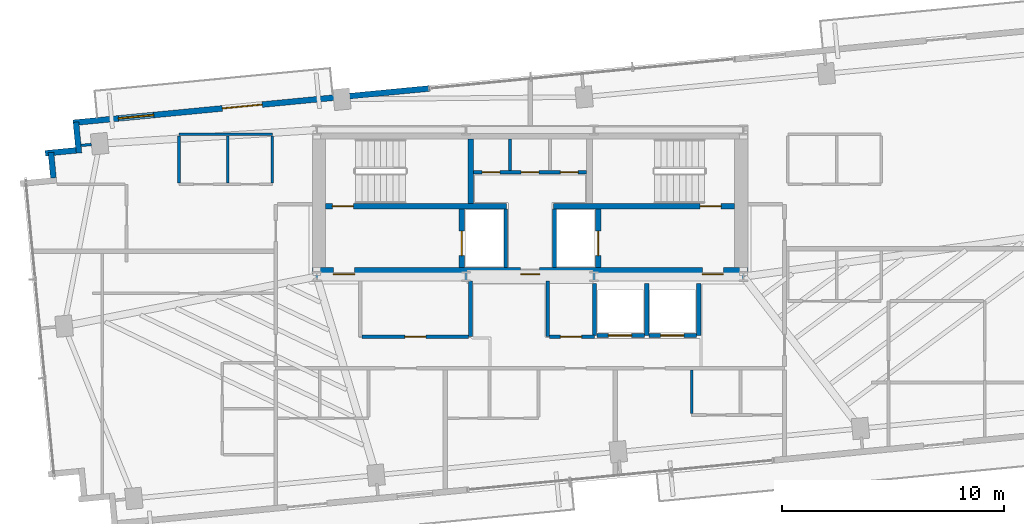
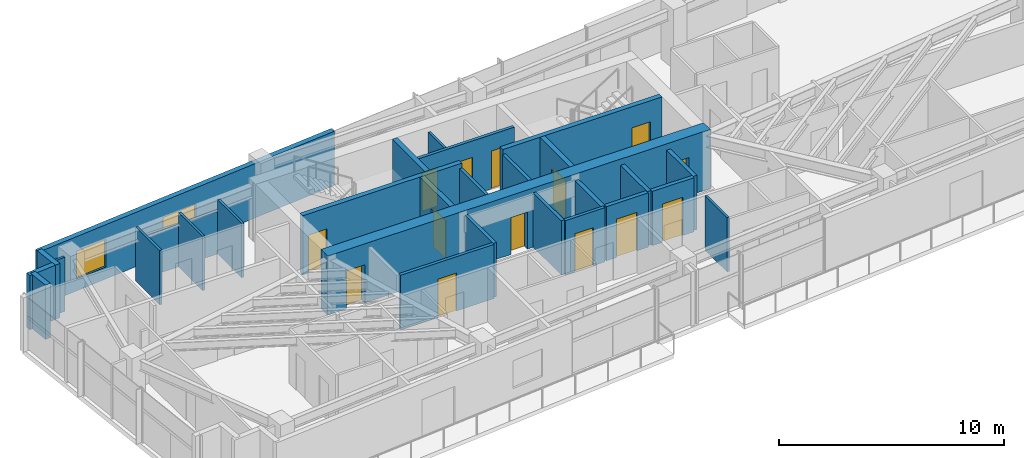
# One storey, part 14 of 18: 29 walls, 15 doors, 1 window, 16 openings.
"""IFC4 building model written with IfcOpenShell, lengths in metres."""

from ifc_helpers import new_model, si_unit, direction, frame, frame_2d, origin, place, context, subcontext, project, spatial, rectangle, extrude, source, transform, mapped, material, layer, layer_set, type_object, type_shapes, element, fill, save


model = new_model("IFC4")

# Units and contexts
model_context = context("Model", 3, precision=1e-05, world=origin(), true_north=direction((0.0, 1.0)))
body_context = subcontext(model_context, "Body", "Model", "MODEL_VIEW")
ifc_project = project(units=[si_unit("LENGTHUNIT", "METRE"), si_unit("AREAUNIT", "SQUARE_METRE"), si_unit("VOLUMEUNIT", "CUBIC_METRE"), si_unit("PLANEANGLEUNIT", "RADIAN"), si_unit("MASSUNIT", "GRAM", prefix="KILO")], contexts=[model_context])

# Site, building, storey
site_placement = place(None, origin())
site = spatial("IfcSite", under=ifc_project, at=site_placement, CompositionType="ELEMENT")
building_placement = place(site_placement, origin())
building = spatial("IfcBuilding", under=site, at=building_placement, Name="Astriad Promenade Condominiums", CompositionType="ELEMENT")
storey_placement = place(building_placement, frame((0.0, 0.0, 205.0)))
storey = spatial("IfcBuildingStorey", under=building, at=storey_placement, Name="L59", CompositionType="ELEMENT", Elevation=205.0)

# Wall, openings, doors
ifc_material_1 = material(Name="Concrete C50/60", Category="concrete")
ifc_layer_1 = layer(ifc_material_1, 0.60009765625)
ifc_layer_set_1 = layer_set([ifc_layer_1], Name="Concrete C50/60")
wall_type_1 = type_object("IfcWallType", Name="CW-SHEAR-600", PredefinedType="SHEAR", material=ifc_layer_set_1)
wall_1_placement = place(storey_placement, frame((26.199951171875, 17.5, 0.0), z_axis=(0.0, 0.0, 1.0), x_axis=(1.0, 0.0, 0.0)))
wall_1 = element("IfcWall", 1, at=wall_1_placement, inside=storey, type_object=wall_type_1, Name="CW-CORE-S-L59", PredefinedType="SHEAR", context=body_context, shape_type="SweptSolid", body=[
    extrude(rectangle(XDim=19.60009765625, YDim=0.60009765625, at=frame_2d((9.800048828125, 0.0))), origin(), (0.0, 0.0, 1.0), 3.199951171875),
])
opening_1_placement = place(wall_1_placement, frame((0.949951171875, 0.0, 0.0)))
opening_1 = element("IfcOpeningElement", 2, at=opening_1_placement, cuts=wall_1, Name="Opening FD90-ST-095", PredefinedType="OPENING", context=body_context, shape_type="SweptSolid", body=[
    extrude(rectangle(XDim=0.949951171875, YDim=2.06005859375, at=frame_2d((0.47509765625, 1.030029296875))), frame((0.0, 0.31005859375, 0.0), z_axis=(0.0, -1.0, 0.0), x_axis=(1.0, 0.0, 0.0)), (0.0, 0.0, 1.0), 0.6201171875),
])
opening_2_placement = place(wall_1_placement, frame((9.3798828125, 0.0, 0.0)))
opening_2 = element("IfcOpeningElement", 3, at=opening_2_placement, cuts=wall_1, Name="Opening FD60-ULOW-085", PredefinedType="OPENING", context=body_context, shape_type="SweptSolid", body=[
    extrude(rectangle(XDim=0.85009765625, YDim=2.0, at=frame_2d((0.425048828125, 1.0))), frame((0.0, 0.31005859375, 0.0), z_axis=(0.0, -1.0, 0.0), x_axis=(1.0, 0.0, 0.0)), (0.0, 0.0, 1.0), 0.6201171875),
])
opening_3_placement = place(wall_1_placement, frame((17.550048828125, 0.0, 0.0)))
opening_3 = element("IfcOpeningElement", 4, at=opening_3_placement, cuts=wall_1, Name="Opening FD90-ST-095", PredefinedType="OPENING", context=body_context, shape_type="SweptSolid", body=[
    extrude(rectangle(XDim=0.949951171875, YDim=2.06005859375, at=frame_2d((0.47509765625, 1.030029296875))), frame((0.0, 0.31005859375, 0.0), z_axis=(0.0, -1.0, 0.0), x_axis=(1.0, 0.0, 0.0)), (0.0, 0.0, 1.0), 0.6201171875),
])
ifc_material_2 = material(Name="Fire-Rated Hollow Metal Stair Door")
door_type_1 = type_object("IfcDoorType", Name="FD90-ST-095", OperationType="NOTDEFINED", PredefinedType="DOOR", material=ifc_material_2)
shared_shape_1 = source(origin(), body_context, "Body", "SweptSolid", [
    extrude(rectangle(XDim=0.949951171875, YDim=2.06005859375, at=frame_2d((0.47509765625, 1.030029296875))), frame((0.0, 0.02490234375, 0.0), z_axis=(0.0, -1.0, 0.0), x_axis=(1.0, 0.0, 0.0)), (0.0, 0.0, 1.0), 0.050048828125),
])
type_shapes(door_type_1, [shared_shape_1])
door_1_placement = place(opening_1_placement, origin())
door_1 = element("IfcDoor", 5, at=door_1_placement, inside=storey, type_object=door_type_1, Name="D-FFW-L59", OperationType="SINGLE_SWING_LEFT", OverallHeight=2.06005859375, OverallWidth=0.949951171875, PredefinedType="DOOR", context=body_context, shape_type="MappedRepresentation", body=[
    mapped(shared_shape_1, transform((0.0, 0.0, 0.0), scale=1.0)),
])
fill(opening_1, door_1)
door_2_placement = place(opening_3_placement, origin())
door_2 = element("IfcDoor", 6, at=door_2_placement, inside=storey, type_object=door_type_1, Name="D-FFE-L59", OperationType="SINGLE_SWING_RIGHT", OverallHeight=2.06005859375, OverallWidth=0.949951171875, PredefinedType="DOOR", context=body_context, shape_type="MappedRepresentation", body=[
    mapped(shared_shape_1, transform((0.0, 0.0, 0.0), scale=1.0)),
])
fill(opening_3, door_2)
ifc_material_3 = material(Name="Solid-Core Low-Headroom Fire Door")
door_type_2 = type_object("IfcDoorType", Name="FD60-ULOW-085", OperationType="NOTDEFINED", PredefinedType="DOOR", material=ifc_material_3)
shared_shape_2 = source(origin(), body_context, "Body", "SweptSolid", [
    extrude(rectangle(XDim=0.85009765625, YDim=2.0, at=frame_2d((0.425048828125, 1.0))), frame((0.0, 0.02490234375, 0.0), z_axis=(0.0, -1.0, 0.0), x_axis=(1.0, 0.0, 0.0)), (0.0, 0.0, 1.0), 0.050048828125),
])
type_shapes(door_type_2, [shared_shape_2])
door_3_placement = place(opening_2_placement, origin())
door_3 = element("IfcDoor", 7, at=door_3_placement, inside=storey, type_object=door_type_2, Name="D-CSL-L59", OperationType="SINGLE_SWING_RIGHT", OverallHeight=2.0, OverallWidth=0.85009765625, PredefinedType="DOOR", context=body_context, shape_type="MappedRepresentation", body=[
    mapped(shared_shape_2, transform((0.0, 0.0, 0.0), scale=1.0)),
])
fill(opening_2, door_3)

# Wall, opening, door
ifc_layer_2 = layer(ifc_material_1, 0.25)
ifc_layer_set_2 = layer_set([ifc_layer_2], Name="Concrete C50/60")
wall_type_2 = type_object("IfcWallType", Name="WALL-CORE-INT-250", PredefinedType="SOLIDWALL", material=ifc_layer_set_2)
wall_2_placement = place(storey_placement, frame((26.802001953125, 20.574951171875, 0.0), z_axis=(0.0, 0.0, 1.0), x_axis=(1.0, 0.0, 0.0)))
wall_2 = element("IfcWall", 8, at=wall_2_placement, inside=storey, type_object=wall_type_2, Name="CW-INT-H1-L59", PredefinedType="SOLIDWALL", context=body_context, shape_type="SweptSolid", body=[
    extrude(rectangle(XDim=8.14794921875, YDim=0.25, at=frame_2d((4.073974609375, 0.0))), origin(), (0.0, 0.0, 1.0), 3.199951171875),
])
opening_4_placement = place(wall_2_placement, frame((0.298095703125, 0.0, 0.0)))
opening_4 = element("IfcOpeningElement", 9, at=opening_4_placement, cuts=wall_2, Name="Opening FD90-ST-095", PredefinedType="OPENING", context=body_context, shape_type="SweptSolid", body=[
    extrude(rectangle(XDim=0.949951171875, YDim=2.06005859375, at=frame_2d((0.47509765625, 1.030029296875))), frame((0.0, 0.135009765625, 0.0), z_axis=(0.0, -1.0, 0.0), x_axis=(1.0, 0.0, 0.0)), (0.0, 0.0, 1.0), 0.27001953125),
])
door_4_placement = place(opening_4_placement, origin())
door_4 = element("IfcDoor", 10, at=door_4_placement, inside=storey, type_object=door_type_1, Name="D-ST1-L59", OperationType="SINGLE_SWING_RIGHT", OverallHeight=2.06005859375, OverallWidth=0.949951171875, PredefinedType="DOOR", context=body_context, shape_type="MappedRepresentation", body=[
    mapped(shared_shape_1, transform((0.0, 0.0, 0.0), scale=1.0)),
])
fill(opening_4, door_4)

wall_3_placement = place(storey_placement, frame((37.050048828125, 20.574951171875, 0.0), z_axis=(0.0, 0.0, 1.0), x_axis=(1.0, 0.0, 0.0)))
wall_3 = element("IfcWall", 11, at=wall_3_placement, inside=storey, type_object=wall_type_2, Name="CW-INT-H2-L59", PredefinedType="SOLIDWALL", context=body_context, shape_type="SweptSolid", body=[
    extrude(rectangle(XDim=8.14794921875, YDim=0.25, at=frame_2d((4.073974609375, 0.0))), origin(), (0.0, 0.0, 1.0), 3.199951171875),
])
opening_5_placement = place(wall_3_placement, frame((6.60009765625, 0.0, 0.0)))
opening_5 = element("IfcOpeningElement", 12, at=opening_5_placement, cuts=wall_3, Name="Opening FD90-ST-095", PredefinedType="OPENING", context=body_context, shape_type="SweptSolid", body=[
    extrude(rectangle(XDim=0.949951171875, YDim=2.06005859375, at=frame_2d((0.47509765625, 1.030029296875))), frame((0.0, 0.135009765625, 0.0), z_axis=(0.0, -1.0, 0.0), x_axis=(1.0, 0.0, 0.0)), (0.0, 0.0, 1.0), 0.27001953125),
])
door_5_placement = place(opening_5_placement, origin())
door_5 = element("IfcDoor", 13, at=door_5_placement, inside=storey, type_object=door_type_1, Name="D-ST2-L59", OperationType="SINGLE_SWING_LEFT", OverallHeight=2.06005859375, OverallWidth=0.949951171875, PredefinedType="DOOR", context=body_context, shape_type="MappedRepresentation", body=[
    mapped(shared_shape_1, transform((0.0, 0.0, 0.0), scale=1.0)),
])
fill(opening_5, door_5)

# Wall
wall_4_placement = place(storey_placement, frame((33.324951171875, 20.701904296875, 0.0), z_axis=(0.0, 0.0, 1.0), x_axis=(0.0, 1.0, 0.0)))
element("IfcWall", 14, at=wall_4_placement, inside=storey, type_object=wall_type_2, Name="CW-ST1-E-L59", PredefinedType="SOLIDWALL", context=body_context, shape_type="SweptSolid", body=[
    extrude(rectangle(XDim=2.89599609375, YDim=0.25, at=frame_2d((1.447998046875, 0.0))), origin(), (0.0, 0.0, 1.0), 3.199951171875),
])

# Wall, opening, door
wall_5_placement = place(storey_placement, frame((32.925048828125, 17.802001953125, 0.0), z_axis=(0.0, 0.0, 1.0), x_axis=(0.0, 1.0, 0.0)))
wall_5 = element("IfcWall", 15, at=wall_5_placement, inside=storey, type_object=wall_type_2, Name="CW-FFL1-W-L59", PredefinedType="SOLIDWALL", context=body_context, shape_type="SweptSolid", body=[
    extrude(rectangle(XDim=2.64599609375, YDim=0.25, at=frame_2d((1.322998046875, 0.0))), origin(), (0.0, 0.0, 1.0), 3.199951171875),
])
opening_6_placement = place(wall_5_placement, frame((0.548095703125, 0.0, 0.0)))
opening_6 = element("IfcOpeningElement", 16, at=opening_6_placement, cuts=wall_5, Name="Opening LD-FFL-1122", PredefinedType="OPENING", context=body_context, shape_type="SweptSolid", body=[
    extrude(rectangle(XDim=1.10009765625, YDim=2.080078125, at=frame_2d((0.550048828125, 1.0400390625))), frame((0.0, 0.135009765625, 0.0), z_axis=(0.0, -1.0, 0.0), x_axis=(1.0, 0.0, 0.0)), (0.0, 0.0, 1.0), 0.27001953125),
])
ifc_material_4 = material(Name="Brushed Stainless Steel Fire Elevator Landing Door", Category="steel")
door_type_3 = type_object("IfcDoorType", Name="LD-FFL-1122", OperationType="NOTDEFINED", PredefinedType="DOOR", material=ifc_material_4)
shared_shape_3 = source(origin(), body_context, "Body", "SweptSolid", [
    extrude(rectangle(XDim=1.10009765625, YDim=2.080078125, at=frame_2d((0.550048828125, 1.0400390625))), frame((0.0, 0.02490234375, 0.0), z_axis=(0.0, -1.0, 0.0), x_axis=(1.0, 0.0, 0.0)), (0.0, 0.0, 1.0), 0.050048828125),
])
type_shapes(door_type_3, [shared_shape_3])
door_6_placement = place(opening_6_placement, origin())
door_6 = element("IfcDoor", 17, at=door_6_placement, inside=storey, type_object=door_type_3, Name="Elevator Landing Door FFL-1 (L59)", OperationType="SLIDING_TO_LEFT", OverallHeight=2.080078125, OverallWidth=1.10009765625, PredefinedType="DOOR", context=body_context, shape_type="MappedRepresentation", body=[
    mapped(shared_shape_3, transform((0.0, 0.0, 0.0), scale=1.0)),
])
fill(opening_6, door_6)

wall_6_placement = place(storey_placement, frame((39.074951171875, 17.802001953125, 0.0), z_axis=(0.0, 0.0, 1.0), x_axis=(0.0, 1.0, 0.0)))
wall_6 = element("IfcWall", 18, at=wall_6_placement, inside=storey, type_object=wall_type_2, Name="CW-FFL2-E-L59", PredefinedType="SOLIDWALL", context=body_context, shape_type="SweptSolid", body=[
    extrude(rectangle(XDim=2.64599609375, YDim=0.25, at=frame_2d((1.322998046875, 0.0))), origin(), (0.0, 0.0, 1.0), 3.199951171875),
])
opening_7_placement = place(wall_6_placement, frame((0.548095703125, 0.0, 0.0)))
opening_7 = element("IfcOpeningElement", 19, at=opening_7_placement, cuts=wall_6, Name="Opening LD-FFL-1122", PredefinedType="OPENING", context=body_context, shape_type="SweptSolid", body=[
    extrude(rectangle(XDim=1.10009765625, YDim=2.080078125, at=frame_2d((0.550048828125, 1.0400390625))), frame((0.0, 0.135009765625, 0.0), z_axis=(0.0, -1.0, 0.0), x_axis=(1.0, 0.0, 0.0)), (0.0, 0.0, 1.0), 0.27001953125),
])
door_7_placement = place(opening_7_placement, origin())
door_7 = element("IfcDoor", 20, at=door_7_placement, inside=storey, type_object=door_type_3, Name="Elevator Landing Door FFL-2 (L59)", OperationType="SLIDING_TO_RIGHT", OverallHeight=2.080078125, OverallWidth=1.10009765625, PredefinedType="DOOR", context=body_context, shape_type="MappedRepresentation", body=[
    mapped(shared_shape_3, transform((0.0, 0.0, 0.0), scale=1.0)),
])
fill(opening_7, door_7)

# Walls
ifc_material_5 = material(Name="Fire-Rated Gypsum Partition")
ifc_layer_3 = layer(ifc_material_5, 0.159912109375)
ifc_layer_set_3 = layer_set([ifc_layer_3], Name="Fire-Rated Gypsum Partition")
wall_type_3 = type_object("IfcWallType", Name="WALL-CORR-160", PredefinedType="PARTITIONING", material=ifc_layer_set_3)
for number, where, z_axis, x_axis, name in (
    (21, (34.89990234375, 17.802001953125, 0.0), (0.0, 0.0, 1.0), (0.0, 1.0, 0.0), "CW-FFL1-E-L59"),
    (22, (37.10009765625, 17.802001953125, 0.0), (0.0, 0.0, 1.0), (0.0, 1.0, 0.0), "CW-FFL2-W-L59"),
):
    element("IfcWall", number, at=place(storey_placement, frame(where, z_axis=z_axis, x_axis=x_axis)), inside=storey, type_object=wall_type_3, Name=name, PredefinedType="PARTITIONING", context=body_context, shape_type="SweptSolid", body=[
        extrude(rectangle(XDim=2.64599609375, YDim=0.159912109375, at=frame_2d((1.322998046875, 0.0))), origin(), (0.0, 0.0, 1.0), 2.93994140625),
    ])

# Wall, openings, doors
wall_7_placement = place(storey_placement, frame((33.451904296875, 22.10009765625, 0.0), z_axis=(0.0, 0.0, 1.0), x_axis=(1.0, 0.0, 0.0)))
wall_7 = element("IfcWall", 23, at=wall_7_placement, inside=storey, type_object=wall_type_3, Name="CW-AUX-N-L59", PredefinedType="PARTITIONING", context=body_context, shape_type="SweptSolid", body=[
    extrude(rectangle(XDim=5.09619140625, YDim=0.159912109375, at=frame_2d((2.548095703125, 0.0))), origin(), (0.0, 0.0, 1.0), 2.93994140625),
])
opening_8_placement = place(wall_7_placement, frame((0.387939453125, 0.0, 0.0)))
opening_8 = element("IfcOpeningElement", 24, at=opening_8_placement, cuts=wall_7, Name="Opening FD60-SV-080", PredefinedType="OPENING", context=body_context, shape_type="SweptSolid", body=[
    extrude(rectangle(XDim=0.800048828125, YDim=2.050048828125, at=frame_2d((0.39990234375, 1.02490234375))), frame((0.0, 0.08984375, 0.0), z_axis=(0.0, -1.0, 0.0), x_axis=(1.0, 0.0, 0.0)), (0.0, 0.0, 1.0), 0.179931640625),
])
opening_9_placement = place(wall_7_placement, frame((2.14794921875, 0.0, 0.0)))
opening_9 = element("IfcOpeningElement", 25, at=opening_9_placement, cuts=wall_7, Name="Opening FD60-SV-080", PredefinedType="OPENING", context=body_context, shape_type="SweptSolid", body=[
    extrude(rectangle(XDim=0.800048828125, YDim=2.050048828125, at=frame_2d((0.39990234375, 1.02490234375))), frame((0.0, 0.08984375, 0.0), z_axis=(0.0, -1.0, 0.0), x_axis=(1.0, 0.0, 0.0)), (0.0, 0.0, 1.0), 0.179931640625),
])
opening_10_placement = place(wall_7_placement, frame((3.907958984375, 0.0, 0.0)))
opening_10 = element("IfcOpeningElement", 26, at=opening_10_placement, cuts=wall_7, Name="Opening FD60-SV-080", PredefinedType="OPENING", context=body_context, shape_type="SweptSolid", body=[
    extrude(rectangle(XDim=0.800048828125, YDim=2.050048828125, at=frame_2d((0.39990234375, 1.02490234375))), frame((0.0, 0.08984375, 0.0), z_axis=(0.0, -1.0, 0.0), x_axis=(1.0, 0.0, 0.0)), (0.0, 0.0, 1.0), 0.179931640625),
])
ifc_material_6 = material(Name="Fire-Rated Riser Closet Door")
door_type_4 = type_object("IfcDoorType", Name="FD60-SV-080", OperationType="NOTDEFINED", PredefinedType="DOOR", material=ifc_material_6)
shared_shape_4 = source(origin(), body_context, "Body", "SweptSolid", [
    extrude(rectangle(XDim=0.800048828125, YDim=2.050048828125, at=frame_2d((0.39990234375, 1.02490234375))), frame((0.0, 0.02490234375, 0.0), z_axis=(0.0, -1.0, 0.0), x_axis=(1.0, 0.0, 0.0)), (0.0, 0.0, 1.0), 0.050048828125),
])
type_shapes(door_type_4, [shared_shape_4])
door_8_placement = place(opening_8_placement, origin())
door_8 = element("IfcDoor", 27, at=door_8_placement, inside=storey, type_object=door_type_4, Name="D-AUX1-L59", OperationType="SINGLE_SWING_RIGHT", OverallHeight=2.050048828125, OverallWidth=0.800048828125, PredefinedType="DOOR", context=body_context, shape_type="MappedRepresentation", body=[
    mapped(shared_shape_4, transform((0.0, 0.0, 0.0), scale=1.0)),
])
fill(opening_8, door_8)
door_9_placement = place(opening_9_placement, origin())
door_9 = element("IfcDoor", 28, at=door_9_placement, inside=storey, type_object=door_type_4, Name="D-AUX2-L59", OperationType="SINGLE_SWING_LEFT", OverallHeight=2.050048828125, OverallWidth=0.800048828125, PredefinedType="DOOR", context=body_context, shape_type="MappedRepresentation", body=[
    mapped(shared_shape_4, transform((0.0, 0.0, 0.0), scale=1.0)),
])
fill(opening_9, door_9)
door_10_placement = place(opening_10_placement, origin())
door_10 = element("IfcDoor", 29, at=door_10_placement, inside=storey, type_object=door_type_4, Name="D-AUX3-L59", OperationType="SINGLE_SWING_RIGHT", OverallHeight=2.050048828125, OverallWidth=0.800048828125, PredefinedType="DOOR", context=body_context, shape_type="MappedRepresentation", body=[
    mapped(shared_shape_4, transform((0.0, 0.0, 0.0), scale=1.0)),
])
fill(opening_10, door_10)

# Wall
wall_8_placement = place(storey_placement, frame((33.320068359375, 14.699951171875, 0.0), z_axis=(0.0, 0.0, 1.0), x_axis=(0.0, 1.0, 0.0)))
element("IfcWall", 30, at=wall_8_placement, inside=storey, type_object=wall_type_3, Name="PT-Z3REC-E-L59", PredefinedType="PARTITIONING", context=body_context, shape_type="SweptSolid", body=[
    extrude(rectangle(XDim=2.498046875, YDim=0.159912109375, at=frame_2d((1.2490234375, 0.0))), origin(), (0.0, 0.0, 1.0), 2.93994140625),
])

# Wall, opening, door
wall_9_placement = place(storey_placement, frame((28.44189453125, 14.699951171875, 0.0), z_axis=(0.0, 0.0, 1.0), x_axis=(1.0, 0.0, 0.0)))
wall_9 = element("IfcWall", 31, at=wall_9_placement, inside=storey, type_object=wall_type_3, Name="PT-Z3REC-S-L59", PredefinedType="PARTITIONING", context=body_context, shape_type="SweptSolid", body=[
    extrude(rectangle(XDim=4.796142578125, YDim=0.159912109375, at=frame_2d((2.39794921875, 0.0))), origin(), (0.0, 0.0, 1.0), 2.93994140625),
])
opening_11_placement = place(wall_9_placement, frame((1.923095703125, 0.0, 0.0)))
opening_11 = element("IfcOpeningElement", 32, at=opening_11_placement, cuts=wall_9, Name="Opening FD60-APT-095", PredefinedType="OPENING", context=body_context, shape_type="SweptSolid", body=[
    extrude(rectangle(XDim=0.949951171875, YDim=2.06005859375, at=frame_2d((0.47509765625, 1.030029296875))), frame((0.0, 0.08984375, 0.0), z_axis=(0.0, -1.0, 0.0), x_axis=(1.0, 0.0, 0.0)), (0.0, 0.0, 1.0), 0.179931640625),
])
ifc_material_7 = material(Name="Solid-Core Acoustic Timber Residence Entry Door", Category="wood")
door_type_5 = type_object("IfcDoorType", Name="FD60-APT-095", OperationType="NOTDEFINED", PredefinedType="DOOR", material=ifc_material_7)
shared_shape_5 = source(origin(), body_context, "Body", "SweptSolid", [
    extrude(rectangle(XDim=0.949951171875, YDim=2.06005859375, at=frame_2d((0.47509765625, 1.030029296875))), frame((0.0, 0.02490234375, 0.0), z_axis=(0.0, -1.0, 0.0), x_axis=(1.0, 0.0, 0.0)), (0.0, 0.0, 1.0), 0.050048828125),
])
type_shapes(door_type_5, [shared_shape_5])
door_11_placement = place(opening_11_placement, origin())
door_11 = element("IfcDoor", 33, at=door_11_placement, inside=storey, type_object=door_type_5, Name="D-Z3R-L59", OperationType="SINGLE_SWING_RIGHT", OverallHeight=2.06005859375, OverallWidth=0.949951171875, PredefinedType="DOOR", context=body_context, shape_type="MappedRepresentation", body=[
    mapped(shared_shape_5, transform((0.0, 0.0, 0.0), scale=1.0)),
])
fill(opening_11, door_11)

# Wall
wall_10_placement = place(storey_placement, frame((36.800048828125, 14.699951171875, 0.0), z_axis=(0.0, 0.0, 1.0), x_axis=(0.0, 1.0, 0.0)))
element("IfcWall", 34, at=wall_10_placement, inside=storey, type_object=wall_type_3, Name="PT-Z3R2-W-L59", PredefinedType="PARTITIONING", context=body_context, shape_type="SweptSolid", body=[
    extrude(rectangle(XDim=2.498046875, YDim=0.159912109375, at=frame_2d((1.2490234375, 0.0))), origin(), (0.0, 0.0, 1.0), 2.93994140625),
])

# Wall, opening, door
wall_11_placement = place(storey_placement, frame((36.882080078125, 14.699951171875, 0.0), z_axis=(0.0, 0.0, 1.0), x_axis=(1.0, 0.0, 0.0)))
wall_11 = element("IfcWall", 35, at=wall_11_placement, inside=storey, type_object=wall_type_3, Name="PT-Z3R2-S-L59", PredefinedType="PARTITIONING", context=body_context, shape_type="SweptSolid", body=[
    extrude(rectangle(XDim=2.017822265625, YDim=0.159912109375, at=frame_2d((1.0087890625, 0.0))), origin(), (0.0, 0.0, 1.0), 2.93994140625),
])
opening_12_placement = place(wall_11_placement, frame((0.48291015625, 0.0, 0.0)))
opening_12 = element("IfcOpeningElement", 36, at=opening_12_placement, cuts=wall_11, Name="Opening FD60-APT-095", PredefinedType="OPENING", context=body_context, shape_type="SweptSolid", body=[
    extrude(rectangle(XDim=0.949951171875, YDim=2.06005859375, at=frame_2d((0.47509765625, 1.030029296875))), frame((0.0, 0.08984375, 0.0), z_axis=(0.0, -1.0, 0.0), x_axis=(1.0, 0.0, 0.0)), (0.0, 0.0, 1.0), 0.179931640625),
])
door_12_placement = place(opening_12_placement, origin())
door_12 = element("IfcDoor", 37, at=door_12_placement, inside=storey, type_object=door_type_5, Name="D-Z3N-L59", OperationType="SINGLE_SWING_LEFT", OverallHeight=2.06005859375, OverallWidth=0.949951171875, PredefinedType="DOOR", context=body_context, shape_type="MappedRepresentation", body=[
    mapped(shared_shape_5, transform((0.0, 0.0, 0.0), scale=1.0)),
])
fill(opening_12, door_12)

# Walls
ifc_material_8 = material(Name="Precast concrete C50/60", Category="concrete")
ifc_layer_4 = layer(ifc_material_8, 0.260009765625)
ifc_layer_set_4 = layer_set([ifc_layer_4], Name="Precast concrete C50/60")
wall_type_4 = type_object("IfcWallType", Name="WALL-EXT-TWR-260", PredefinedType="STANDARD", material=ifc_layer_set_4)
wall_12_placement = place(storey_placement, frame((14.55029296875, 21.842529296875, 0.0), z_axis=(0.0, 0.0, 1.0), x_axis=(-0.09576095695, 0.995404359607, 0.0)))
element("IfcWall", 38, at=wall_12_placement, inside=storey, type_object=wall_type_4, Name="W-SER-L59-05", PredefinedType="STANDARD", context=body_context, shape_type="SweptSolid", body=[
    extrude(rectangle(XDim=1.14990234375, YDim=0.260009765625, at=frame_2d((0.574951171875, 0.0))), origin(), (0.0, 0.0, 1.0), 2.93994140625),
])
wall_13_placement = place(storey_placement, frame((14.182861328125, 22.947265625, 0.0), z_axis=(0.0, 0.0, 1.0), x_axis=(0.99540614245, 0.095742423056, 0.0)))
element("IfcWall", 39, at=wall_13_placement, inside=storey, type_object=wall_type_4, Name="W-SER-L59-06", PredefinedType="STANDARD", context=body_context, shape_type="SweptSolid", body=[
    extrude(rectangle(XDim=1.394775390625, YDim=0.260009765625, at=frame_2d((0.697265625, 0.0))), origin(), (0.0, 0.0, 1.0), 2.93994140625),
])
wall_14_placement = place(storey_placement, frame((15.6982421875, 22.962646484375, 0.0), z_axis=(0.0, 0.0, 1.0), x_axis=(-0.09589913835, 0.995391056452, 0.0)))
element("IfcWall", 40, at=wall_14_placement, inside=storey, type_object=wall_type_4, Name="W-SER-L59-07", PredefinedType="STANDARD", context=body_context, shape_type="SweptSolid", body=[
    extrude(rectangle(XDim=1.39501953125, YDim=0.260009765625, at=frame_2d((0.697509765625, 0.0))), origin(), (0.0, 0.0, 1.0), 2.93994140625),
])

# Wall, openings, door, window
wall_15_placement = place(storey_placement, frame((15.4365234375, 24.32373046875, 0.0), z_axis=(0.0, 0.0, 1.0), x_axis=(0.995395627913, 0.095851676732, 0.0)))
wall_15 = element("IfcWall", 41, at=wall_15_placement, inside=storey, type_object=wall_type_4, Name="W-EXT-L59-N1", PredefinedType="STANDARD", context=body_context, shape_type="SweptSolid", body=[
    extrude(rectangle(XDim=16.10009765625, YDim=0.260009765625, at=frame_2d((8.050048828125, 0.0))), origin(), (0.0, 0.0, 1.0), 2.93994140625),
])
opening_13_placement = place(wall_15_placement, frame((6.7490234375, 0.0, 0.0)))
opening_13 = element("IfcOpeningElement", 42, at=opening_13_placement, cuts=wall_15, Name="Opening BD-1822-SLD", PredefinedType="OPENING", context=body_context, shape_type="SweptSolid", body=[
    extrude(rectangle(XDim=1.800048828125, YDim=2.06005859375, at=frame_2d((0.89990234375, 1.030029296875))), frame((0.0, 0.139892578125, 0.0), z_axis=(0.0, -1.0, 0.0), x_axis=(1.0, 0.0, 0.0)), (0.0, 0.0, 1.0), 0.280029296875),
])
opening_14_placement = place(wall_15_placement, frame((2.050048828125, 0.0, 0.64990234375)))
opening_14 = element("IfcOpeningElement", 43, at=opening_14_placement, cuts=wall_15, Name="Opening WIN-TWR-1620", PredefinedType="OPENING", context=body_context, shape_type="SweptSolid", body=[
    extrude(rectangle(XDim=1.60009765625, YDim=1.5, at=frame_2d((0.800048828125, 0.75))), frame((0.0, 0.139892578125, 0.0), z_axis=(0.0, -1.0, 0.0), x_axis=(1.0, 0.0, 0.0)), (0.0, 0.0, 1.0), 0.280029296875),
])
ifc_material_9 = material(Name="Thermally Broken Aluminium Sliding Balcony Door", Category="aluminium")
door_type_6 = type_object("IfcDoorType", Name="BD-1822-SLD", OperationType="NOTDEFINED", PredefinedType="DOOR", material=ifc_material_9)
shared_shape_6 = source(origin(), body_context, "Body", "SweptSolid", [
    extrude(rectangle(XDim=1.800048828125, YDim=2.06005859375, at=frame_2d((0.89990234375, 1.030029296875))), frame((0.0, 0.02490234375, 0.0), z_axis=(0.0, -1.0, 0.0), x_axis=(1.0, 0.0, 0.0)), (0.0, 0.0, 1.0), 0.050048828125),
])
type_shapes(door_type_6, [shared_shape_6])
door_13_placement = place(opening_13_placement, origin())
door_13 = element("IfcDoor", 44, at=door_13_placement, inside=storey, type_object=door_type_6, Name="BD-L59-NW", OperationType="SLIDING_TO_LEFT", OverallHeight=2.06005859375, OverallWidth=1.800048828125, PredefinedType="DOOR", context=body_context, shape_type="MappedRepresentation", body=[
    mapped(shared_shape_6, transform((0.0, 0.0, 0.0), scale=1.0)),
])
fill(opening_13, door_13)
ifc_material_10 = material(Name="Dark Tinted Triple-Glazed Aluminium Window", Category="aluminium")
window_type = type_object("IfcWindowType", Name="WIN-TWR-1620", PartitioningType="SINGLE_PANEL", PredefinedType="WINDOW", material=ifc_material_10)
shared_shape_7 = source(origin(), body_context, "Body", "SweptSolid", [
    extrude(rectangle(XDim=1.60009765625, YDim=1.5, at=frame_2d((0.800048828125, 0.75))), frame((0.0, 0.030029296875, 0.0), z_axis=(0.0, -1.0, 0.0), x_axis=(1.0, 0.0, 0.0)), (0.0, 0.0, 1.0), 0.06005859375),
])
type_shapes(window_type, [shared_shape_7])
window_placement = place(opening_14_placement, origin())
window = element("IfcWindow", 45, at=window_placement, inside=storey, type_object=window_type, Name="WIN-L59-NW", OverallHeight=1.5, OverallWidth=1.60009765625, PartitioningType="SINGLE_PANEL", PredefinedType="WINDOW", context=body_context, shape_type="MappedRepresentation", body=[
    mapped(shared_shape_7, transform((0.0, 0.0, 0.0), scale=1.0)),
])
fill(opening_14, window)

# Walls
ifc_material_11 = material(Name="Acoustic Metal-Stud Gypsum Partition")
ifc_layer_5 = layer(ifc_material_11, 0.1201171875)
ifc_layer_set_5 = layer_set([ifc_layer_5], Name="Acoustic Metal-Stud Gypsum Partition")
wall_type_5 = type_object("IfcWallType", Name="WALL-PART-120", PredefinedType="PARTITIONING", material=ifc_layer_set_5)
wall_16_placement = place(storey_placement, frame((35.10009765625, 22.181884765625, 0.0), z_axis=(0.0, 0.0, 1.0), x_axis=(0.0, 1.0, 0.0)))
element("IfcWall", 46, at=wall_16_placement, inside=storey, type_object=wall_type_5, Name="CW-AUX-V1-L59", PredefinedType="PARTITIONING", context=body_context, shape_type="SweptSolid", body=[
    extrude(rectangle(XDim=1.416015625, YDim=0.1201171875, at=frame_2d((0.7080078125, 0.0))), origin(), (0.0, 0.0, 1.0), 2.93994140625),
])
wall_17_placement = place(storey_placement, frame((43.27001953125, 11.23388671875, 0.0), z_axis=(0.0, 0.0, 1.0), x_axis=(0.0, 1.0, 0.0)))
element("IfcWall", 47, at=wall_17_placement, inside=storey, type_object=wall_type_5, Name="PT-L59-S3-PK", PredefinedType="PARTITIONING", context=body_context, shape_type="SweptSolid", body=[
    extrude(rectangle(XDim=1.964111328125, YDim=0.1201171875, at=frame_2d((0.98193359375, 0.0))), origin(), (0.0, 0.0, 1.0), 2.93994140625),
])
wall_18_placement = place(storey_placement, frame((20.199951171875, 23.800048828125, 0.0), z_axis=(0.0, 0.0, 1.0), x_axis=(1.0, 0.0, 0.0)))
element("IfcWall", 48, at=wall_18_placement, inside=storey, type_object=wall_type_5, Name="PT-L59-W2-PHN", PredefinedType="PARTITIONING", context=body_context, shape_type="SweptSolid", body=[
    extrude(rectangle(XDim=4.199951171875, YDim=0.1201171875, at=frame_2d((2.10009765625, 0.0))), origin(), (0.0, 0.0, 1.0), 2.30029296875),
])
for number, where, z_axis, x_axis, name in (
    (49, (20.199951171875, 21.612060546875, 0.0), (0.0, 0.0, 1.0), (0.0, 1.0, 0.0), "PT-L59-W2-PK1"),
    (50, (22.39990234375, 21.612060546875, 0.0), (0.0, 0.0, 1.0), (0.0, 1.0, 0.0), "PT-L59-W2-PK2"),
    (51, (24.39990234375, 21.612060546875, 0.0), (0.0, 0.0, 1.0), (0.0, 1.0, 0.0), "PT-L59-W2-PK3"),
):
    element("IfcWall", number, at=place(storey_placement, frame(where, z_axis=z_axis, x_axis=x_axis)), inside=storey, type_object=wall_type_5, Name=name, PredefinedType="PARTITIONING", context=body_context, shape_type="SweptSolid", body=[
        extrude(rectangle(XDim=2.1259765625, YDim=0.1201171875, at=frame_2d((1.06298828125, 0.0))), origin(), (0.0, 0.0, 1.0), 2.93994140625),
    ])
wall_19_placement = place(storey_placement, frame((16.25390625, 23.34765625, 0.0), z_axis=(0.0, 0.0, 1.0), x_axis=(-0.995384576284, -0.09596637586, 0.0)))
element("IfcWall", 52, at=wall_19_placement, inside=storey, type_object=wall_type_5, Name="PT-PIL-L59-PC06-13", PredefinedType="PARTITIONING", context=body_context, shape_type="SweptSolid", body=[
    extrude(rectangle(XDim=0.4580078125, YDim=0.1201171875, at=frame_2d((0.22900390625, 0.0))), origin(), (0.0, 0.0, 1.0), 2.93994140625),
])
ifc_material_12 = material(Name="Gypsum Shaftliner Assembly")
ifc_layer_6 = layer(ifc_material_12, 0.199951171875)
ifc_layer_set_6 = layer_set([ifc_layer_6], Name="Gypsum Shaftliner Assembly")
wall_type_6 = type_object("IfcWallType", Name="WALL-SHAFT-200", PredefinedType="PARTITIONING", material=ifc_layer_set_6)
for number, where, z_axis, x_axis, name in (
    (53, (38.89990234375, 14.75, 0.0), (0.0, 0.0, 1.0), (0.0, 1.0, 0.0), "PL-MH-DIV-L59"),
    (54, (41.25, 14.75, 0.0), (0.0, 0.0, 1.0), (0.0, 1.0, 0.0), "PL-H-DIV-L59"),
    (55, (43.60009765625, 14.75, 0.0), (0.0, 0.0, 1.0), (0.0, 1.0, 0.0), "PL-E-OUT-L59"),
):
    element("IfcWall", number, at=place(storey_placement, frame(where, z_axis=z_axis, x_axis=x_axis)), inside=storey, type_object=wall_type_6, Name=name, PredefinedType="PARTITIONING", context=body_context, shape_type="SweptSolid", body=[
        extrude(rectangle(XDim=2.35009765625, YDim=0.199951171875, at=frame_2d((1.175048828125, 0.0))), origin(), (0.0, 0.0, 1.0), 2.93994140625),
    ])

# Wall, opening, door
wall_20_placement = place(storey_placement, frame((39.001953125, 14.75, 0.0), z_axis=(0.0, 0.0, 1.0), x_axis=(1.0, 0.0, 0.0)))
wall_20 = element("IfcWall", 56, at=wall_20_placement, inside=storey, type_object=wall_type_6, Name="PL-H-FRT-L59", PredefinedType="PARTITIONING", context=body_context, shape_type="SweptSolid", body=[
    extrude(rectangle(XDim=2.14599609375, YDim=0.199951171875, at=frame_2d((1.072998046875, 0.0))), origin(), (0.0, 0.0, 1.0), 2.93994140625),
])
opening_15_placement = place(wall_20_placement, frame((0.52294921875, 0.0, 0.0)))
opening_15 = element("IfcOpeningElement", 57, at=opening_15_placement, cuts=wall_20, Name="Opening LD-PL-10522", PredefinedType="OPENING", context=body_context, shape_type="SweptSolid", body=[
    extrude(rectangle(XDim=1.050048828125, YDim=2.080078125, at=frame_2d((0.52490234375, 1.0400390625))), frame((0.0, 0.10986328125, 0.0), z_axis=(0.0, -1.0, 0.0), x_axis=(1.0, 0.0, 0.0)), (0.0, 0.0, 1.0), 0.219970703125),
])
ifc_material_13 = material(Name="Brushed Bronze Passenger Elevator Landing Door")
door_type_7 = type_object("IfcDoorType", Name="LD-PL-10522", OperationType="NOTDEFINED", PredefinedType="DOOR", material=ifc_material_13)
shared_shape_8 = source(origin(), body_context, "Body", "SweptSolid", [
    extrude(rectangle(XDim=1.050048828125, YDim=2.080078125, at=frame_2d((0.52490234375, 1.0400390625))), frame((0.0, 0.02490234375, 0.0), z_axis=(0.0, -1.0, 0.0), x_axis=(1.0, 0.0, 0.0)), (0.0, 0.0, 1.0), 0.050048828125),
])
type_shapes(door_type_7, [shared_shape_8])
door_14_placement = place(opening_15_placement, origin())
door_14 = element("IfcDoor", 58, at=door_14_placement, inside=storey, type_object=door_type_7, Name="Elevator Landing Door PL-H1 (L59)", OperationType="SLIDING_TO_LEFT", OverallHeight=2.080078125, OverallWidth=1.050048828125, PredefinedType="DOOR", context=body_context, shape_type="MappedRepresentation", body=[
    mapped(shared_shape_8, transform((0.0, 0.0, 0.0), scale=1.0)),
])
fill(opening_15, door_14)

wall_21_placement = place(storey_placement, frame((41.35205078125, 14.75, 0.0), z_axis=(0.0, 0.0, 1.0), x_axis=(1.0, 0.0, 0.0)))
wall_21 = element("IfcWall", 59, at=wall_21_placement, inside=storey, type_object=wall_type_6, Name="PL-H-FRT-L59-S2", PredefinedType="PARTITIONING", context=body_context, shape_type="SweptSolid", body=[
    extrude(rectangle(XDim=2.14599609375, YDim=0.199951171875, at=frame_2d((1.072998046875, 0.0))), origin(), (0.0, 0.0, 1.0), 2.93994140625),
])
opening_16_placement = place(wall_21_placement, frame((0.52294921875, 0.0, 0.0)))
opening_16 = element("IfcOpeningElement", 60, at=opening_16_placement, cuts=wall_21, Name="Opening LD-PL-10522", PredefinedType="OPENING", context=body_context, shape_type="SweptSolid", body=[
    extrude(rectangle(XDim=1.050048828125, YDim=2.080078125, at=frame_2d((0.52490234375, 1.0400390625))), frame((0.0, 0.10986328125, 0.0), z_axis=(0.0, -1.0, 0.0), x_axis=(1.0, 0.0, 0.0)), (0.0, 0.0, 1.0), 0.219970703125),
])
door_15_placement = place(opening_16_placement, origin())
door_15 = element("IfcDoor", 61, at=door_15_placement, inside=storey, type_object=door_type_7, Name="Elevator Landing Door PL-H2 (L59)", OperationType="SLIDING_TO_RIGHT", OverallHeight=2.080078125, OverallWidth=1.050048828125, PredefinedType="DOOR", context=body_context, shape_type="MappedRepresentation", body=[
    mapped(shared_shape_8, transform((0.0, 0.0, 0.0), scale=1.0)),
])
fill(opening_16, door_15)

save(model, "model.ifc")
